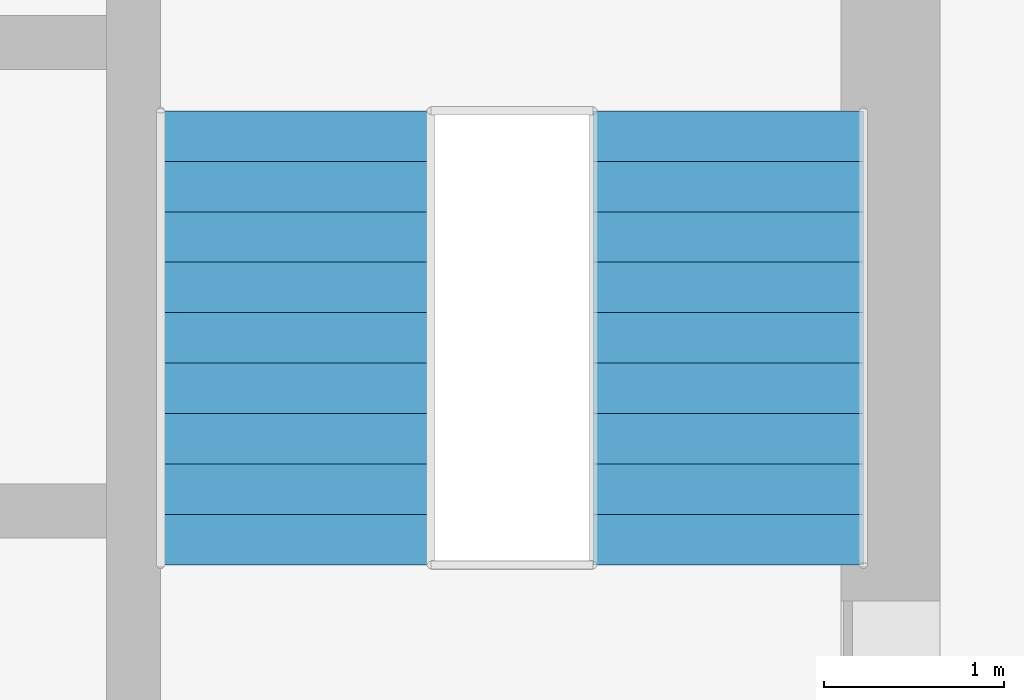
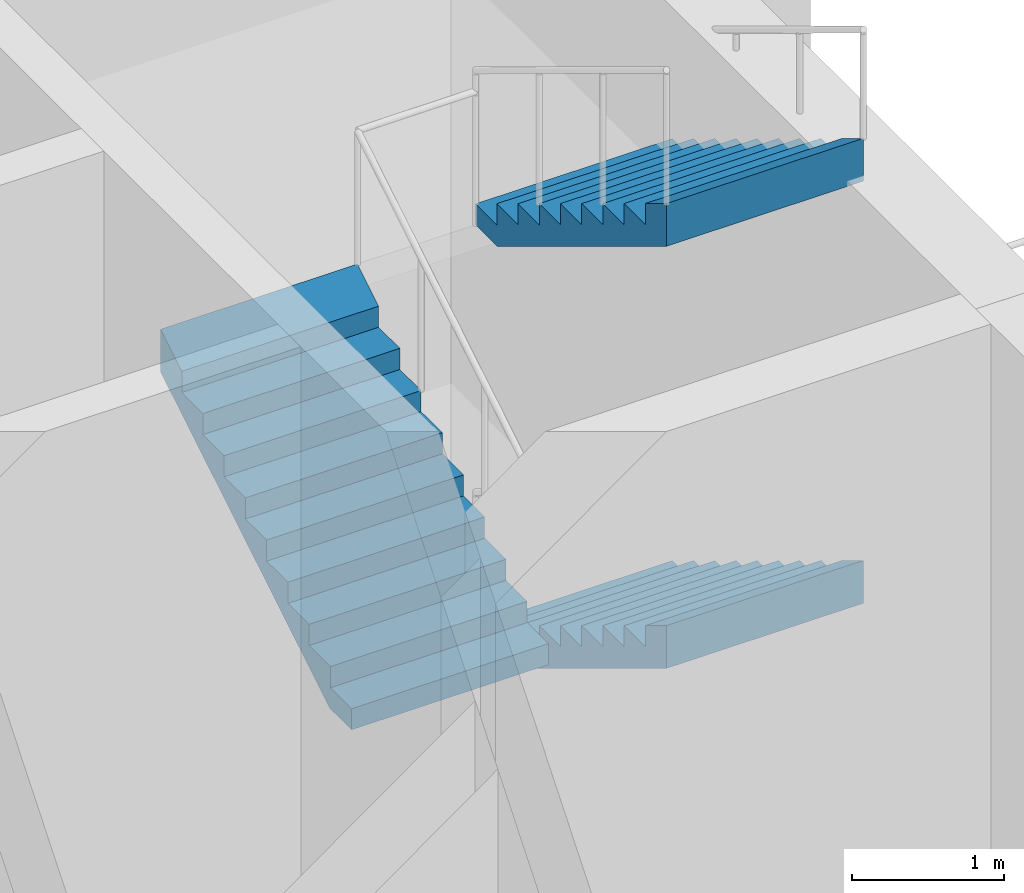
# One storey, part 7 of 10: 3 stair flights, 1 element without a shape of its own.
"""IFC4 building model written with IfcOpenShell, lengths in metres."""

from ifc_helpers import new_model, si_unit, direction, frame, origin, place, context, subcontext, project, spatial, triangles, material, type_object, element, aggregate, save


model = new_model("IFC4")

# Units and contexts
model_context = context("Model", 3, precision=1e-05, world=origin(), true_north=direction((0.0, 1.0)))
body_context = subcontext(model_context, "Body", "Model", "MODEL_VIEW")
ifc_project = project(units=[si_unit("LENGTHUNIT", "METRE"), si_unit("AREAUNIT", "SQUARE_METRE"), si_unit("VOLUMEUNIT", "CUBIC_METRE"), si_unit("PLANEANGLEUNIT", "RADIAN"), si_unit("MASSUNIT", "GRAM", prefix="KILO")], contexts=[model_context])

# Site, building, storey
site_placement = place(None, origin())
site = spatial("IfcSite", under=ifc_project, at=site_placement, CompositionType="ELEMENT")
building_placement = place(site_placement, origin())
building = spatial("IfcBuilding", under=site, at=building_placement, Name="Ludao Terraces", CompositionType="ELEMENT")
storey_placement = place(building_placement, frame((0.0, 0.0, 116.89990234375)))
storey = spatial("IfcBuildingStorey", under=building, at=storey_placement, Name="L32", CompositionType="ELEMENT", Elevation=116.89990234375)

# Stair, stair flights
ifc_material = material(Name="Concrete C40", Category="concrete")
stair_type = type_object("IfcStairType", Name="INT Stair", PredefinedType="HALF_TURN_STAIR", material=ifc_material)
stair_placement = place(storey_placement, origin())
stair = element("IfcStair", 1, at=stair_placement, inside=storey, type_object=stair_type, Name="EXIT STAIR 2", PredefinedType="HALF_TURN_STAIR")
stair_flight_type = type_object("IfcStairFlightType", Name="INT Stair flight", PredefinedType="STRAIGHT", material=ifc_material)
stair_flight_1_placement = place(storey_placement, frame((93.85009765625, 81.52001953125, 1.7001953125), z_axis=(0.0, 0.0, 1.0), x_axis=(0.0, -1.0, 0.0)))
stair_flight_1 = element("IfcStairFlight", 2, at=stair_flight_1_placement, type_object=stair_flight_type, Name="ST2 flight 2", NumberOfRisers=10, NumberOfTreads=9, PredefinedType="STRAIGHT", RiserHeight=0.17, TreadLength=0.28, context=body_context, shape_type="Tessellation", body=[
    triangles([(0.0, -0.75, 0.0), (0.0, -0.5, 0.0), (0.0, -0.25, 0.0), (0.0, 0.0, 0.0), (0.0, 0.25, 0.0), (0.0, 0.5, 0.0), (0.0, 0.75, 0.0), (0.0, -0.75, 0.169921875), (0.0, -0.5, 0.169921875), (0.0, -0.25, 0.169921875), (0.0, 0.0, 0.169921875), (0.0, 0.25, 0.169921875), (0.0, 0.5, 0.169921875), (0.0, 0.75, 0.169921875), (0.280029296875, -0.75, 0.169921875), (0.280029296875, -0.5, 0.169921875), (0.280029296875, -0.25, 0.169921875), (0.280029296875, 0.0, 0.169921875), (0.280029296875, 0.25, 0.169921875), (0.280029296875, 0.5, 0.169921875), (0.280029296875, 0.75, 0.169921875), (0.280029296875, -0.75, 0.340087890625), (0.280029296875, -0.5, 0.340087890625), (0.280029296875, -0.25, 0.340087890625), (0.280029296875, 0.0, 0.340087890625), (0.280029296875, 0.25, 0.340087890625), (0.280029296875, 0.5, 0.340087890625), (0.280029296875, 0.75, 0.340087890625), (0.56005859375, -0.75, 0.340087890625), (0.56005859375, -0.5, 0.340087890625), (0.56005859375, -0.25, 0.340087890625), (0.56005859375, 0.0, 0.340087890625), (0.56005859375, 0.25, 0.340087890625), (0.56005859375, 0.5, 0.340087890625), (0.56005859375, 0.75, 0.340087890625), (0.56005859375, -0.75, 0.510009765625), (0.56005859375, -0.5, 0.510009765625), (0.56005859375, -0.25, 0.510009765625), (0.56005859375, 0.0, 0.510009765625), (0.56005859375, 0.25, 0.510009765625), (0.56005859375, 0.5, 0.510009765625), (0.56005859375, 0.75, 0.510009765625), (0.840087890625, -0.75, 0.510009765625), (0.840087890625, -0.5, 0.510009765625), (0.840087890625, -0.25, 0.510009765625), (0.840087890625, 0.0, 0.510009765625), (0.840087890625, 0.25, 0.510009765625), (0.840087890625, 0.5, 0.510009765625), (0.840087890625, 0.75, 0.510009765625), (0.840087890625, -0.75, 0.679931640625), (0.840087890625, -0.5, 0.679931640625), (0.840087890625, -0.25, 0.679931640625), (0.840087890625, 0.0, 0.679931640625), (0.840087890625, 0.25, 0.679931640625), (0.840087890625, 0.5, 0.679931640625), (0.840087890625, 0.75, 0.679931640625), (1.1201171875, -0.75, 0.679931640625), (1.1201171875, -0.5, 0.679931640625), (1.1201171875, -0.25, 0.679931640625), (1.1201171875, 0.0, 0.679931640625), (1.1201171875, 0.25, 0.679931640625), (1.1201171875, 0.5, 0.679931640625), (1.1201171875, 0.75, 0.679931640625), (1.1201171875, -0.75, 0.85009765625), (1.1201171875, -0.5, 0.85009765625), (1.1201171875, -0.25, 0.85009765625), (1.1201171875, 0.0, 0.85009765625), (1.1201171875, 0.25, 0.85009765625), (1.1201171875, 0.5, 0.85009765625), (1.1201171875, 0.75, 0.85009765625), (1.39990234375, -0.75, 0.85009765625), (1.39990234375, -0.5, 0.85009765625), (1.39990234375, -0.25, 0.85009765625), (1.39990234375, 0.0, 0.85009765625), (1.39990234375, 0.25, 0.85009765625), (1.39990234375, 0.5, 0.85009765625), (1.39990234375, 0.75, 0.85009765625), (1.39990234375, -0.75, 1.02001953125), (1.39990234375, -0.5, 1.02001953125), (1.39990234375, -0.25, 1.02001953125), (1.39990234375, 0.0, 1.02001953125), (1.39990234375, 0.25, 1.02001953125), (1.39990234375, 0.5, 1.02001953125), (1.39990234375, 0.75, 1.02001953125), (1.679931640625, -0.75, 1.02001953125), (1.679931640625, -0.5, 1.02001953125), (1.679931640625, -0.25, 1.02001953125), (1.679931640625, 0.0, 1.02001953125), (1.679931640625, 0.25, 1.02001953125), (1.679931640625, 0.5, 1.02001953125), (1.679931640625, 0.75, 1.02001953125), (1.679931640625, -0.75, 1.18994140625), (1.679931640625, -0.5, 1.18994140625), (1.679931640625, -0.25, 1.18994140625), (1.679931640625, 0.0, 1.18994140625), (1.679931640625, 0.25, 1.18994140625), (1.679931640625, 0.5, 1.18994140625), (1.679931640625, 0.75, 1.18994140625), (1.9599609375, -0.75, 1.18994140625), (1.9599609375, -0.5, 1.18994140625), (1.9599609375, -0.25, 1.18994140625), (1.9599609375, 0.0, 1.18994140625), (1.9599609375, 0.25, 1.18994140625), (1.9599609375, 0.5, 1.18994140625), (1.9599609375, 0.75, 1.18994140625), (1.9599609375, -0.75, 1.360107421875), (1.9599609375, -0.5, 1.360107421875), (1.9599609375, -0.25, 1.360107421875), (1.9599609375, 0.0, 1.360107421875), (1.9599609375, 0.25, 1.360107421875), (1.9599609375, 0.5, 1.360107421875), (1.9599609375, 0.75, 1.360107421875), (2.239990234375, -0.75, 1.360107421875), (2.239990234375, -0.5, 1.360107421875), (2.239990234375, -0.25, 1.360107421875), (2.239990234375, 0.0, 1.360107421875), (2.239990234375, 0.25, 1.360107421875), (2.239990234375, 0.5, 1.360107421875), (2.239990234375, 0.75, 1.360107421875), (2.239990234375, -0.75, 1.530029296875), (2.239990234375, -0.5, 1.530029296875), (2.239990234375, -0.25, 1.530029296875), (2.239990234375, 0.0, 1.530029296875), (2.239990234375, 0.25, 1.530029296875), (2.239990234375, 0.5, 1.530029296875), (2.239990234375, 0.75, 1.530029296875), (2.52001953125, -0.75, 1.699951171875), (2.52001953125, -0.5, 1.699951171875), (2.52001953125, -0.25, 1.699951171875), (2.52001953125, 0.0, 1.699951171875), (2.52001953125, 0.25, 1.699951171875), (2.52001953125, 0.5, 1.699951171875), (2.52001953125, 0.75, 1.699951171875), (2.52001953125, -0.75, 1.354736328125), (2.52001953125, -0.5, 1.354736328125), (2.52001953125, -0.25, 1.354736328125), (2.52001953125, 0.0, 1.354736328125), (2.52001953125, 0.25, 1.354736328125), (2.52001953125, 0.5, 1.354736328125), (2.52001953125, 0.75, 1.354736328125), (0.288818359375, -0.75, 0.0), (0.288818359375, -0.5, 0.0), (0.288818359375, -0.25, 0.0), (0.288818359375, 0.0, 0.0), (0.288818359375, 0.25, 0.0), (0.288818359375, 0.5, 0.0), (0.288818359375, 0.75, 0.0)], [[1, 141, 134], [7, 140, 147], [134, 127, 120], [140, 126, 133], [134, 120, 113], [140, 119, 126], [134, 113, 106], [140, 112, 119], [134, 106, 99], [140, 105, 112], [99, 92, 85], [105, 91, 98], [134, 99, 85], [140, 91, 105], [85, 78, 71], [91, 77, 84], [134, 85, 71], [140, 77, 91], [71, 64, 57], [77, 63, 70], [134, 71, 57], [140, 63, 77], [57, 50, 43], [63, 49, 56], [134, 57, 43], [140, 49, 63], [43, 36, 29], [49, 35, 42], [134, 43, 29], [140, 35, 49], [29, 22, 15], [35, 21, 28], [134, 29, 15], [140, 21, 35], [1, 134, 15], [7, 21, 140], [15, 8, 1], [21, 7, 14], [1, 9, 2], [1, 8, 9], [2, 10, 3], [2, 9, 10], [3, 11, 4], [3, 10, 11], [4, 12, 5], [4, 11, 12], [5, 13, 6], [5, 12, 13], [6, 14, 7], [6, 13, 14], [8, 16, 9], [8, 15, 16], [9, 17, 10], [9, 16, 17], [10, 18, 11], [10, 17, 18], [11, 19, 12], [11, 18, 19], [12, 20, 13], [12, 19, 20], [13, 21, 14], [13, 20, 21], [15, 23, 16], [15, 22, 23], [16, 24, 17], [16, 23, 24], [17, 25, 18], [17, 24, 25], [18, 26, 19], [18, 25, 26], [19, 27, 20], [19, 26, 27], [20, 28, 21], [20, 27, 28], [22, 30, 23], [22, 29, 30], [23, 31, 24], [23, 30, 31], [24, 32, 25], [24, 31, 32], [25, 33, 26], [25, 32, 33], [26, 34, 27], [26, 33, 34], [27, 35, 28], [27, 34, 35], [29, 37, 30], [29, 36, 37], [30, 38, 31], [30, 37, 38], [31, 39, 32], [31, 38, 39], [32, 40, 33], [32, 39, 40], [33, 41, 34], [33, 40, 41], [34, 42, 35], [34, 41, 42], [36, 44, 37], [36, 43, 44], [37, 45, 38], [37, 44, 45], [38, 46, 39], [38, 45, 46], [39, 47, 40], [39, 46, 47], [40, 48, 41], [40, 47, 48], [41, 49, 42], [41, 48, 49], [43, 51, 44], [43, 50, 51], [44, 52, 45], [44, 51, 52], [45, 53, 46], [45, 52, 53], [46, 54, 47], [46, 53, 54], [47, 55, 48], [47, 54, 55], [48, 56, 49], [48, 55, 56], [50, 58, 51], [50, 57, 58], [51, 59, 52], [51, 58, 59], [52, 60, 53], [52, 59, 60], [53, 61, 54], [53, 60, 61], [54, 62, 55], [54, 61, 62], [55, 63, 56], [55, 62, 63], [57, 65, 58], [57, 64, 65], [58, 66, 59], [58, 65, 66], [59, 67, 60], [59, 66, 67], [60, 68, 61], [60, 67, 68], [61, 69, 62], [61, 68, 69], [62, 70, 63], [62, 69, 70], [64, 72, 65], [64, 71, 72], [65, 73, 66], [65, 72, 73], [66, 74, 67], [66, 73, 74], [67, 75, 68], [67, 74, 75], [68, 76, 69], [68, 75, 76], [69, 77, 70], [69, 76, 77], [71, 79, 72], [71, 78, 79], [72, 80, 73], [72, 79, 80], [73, 81, 74], [73, 80, 81], [74, 82, 75], [74, 81, 82], [75, 83, 76], [75, 82, 83], [76, 84, 77], [76, 83, 84], [78, 86, 79], [78, 85, 86], [79, 87, 80], [79, 86, 87], [80, 88, 81], [80, 87, 88], [81, 89, 82], [81, 88, 89], [82, 90, 83], [82, 89, 90], [83, 91, 84], [83, 90, 91], [85, 93, 86], [85, 92, 93], [86, 94, 87], [86, 93, 94], [87, 95, 88], [87, 94, 95], [88, 96, 89], [88, 95, 96], [89, 97, 90], [89, 96, 97], [90, 98, 91], [90, 97, 98], [92, 100, 93], [92, 99, 100], [93, 101, 94], [93, 100, 101], [94, 102, 95], [94, 101, 102], [95, 103, 96], [95, 102, 103], [96, 104, 97], [96, 103, 104], [97, 105, 98], [97, 104, 105], [99, 107, 100], [99, 106, 107], [100, 108, 101], [100, 107, 108], [101, 109, 102], [101, 108, 109], [102, 110, 103], [102, 109, 110], [103, 111, 104], [103, 110, 111], [104, 112, 105], [104, 111, 112], [106, 114, 107], [106, 113, 114], [107, 115, 108], [107, 114, 115], [108, 116, 109], [108, 115, 116], [109, 117, 110], [109, 116, 117], [110, 118, 111], [110, 117, 118], [111, 119, 112], [111, 118, 119], [113, 121, 114], [113, 120, 121], [114, 122, 115], [114, 121, 122], [115, 123, 116], [115, 122, 123], [116, 124, 117], [116, 123, 124], [117, 125, 118], [117, 124, 125], [118, 126, 119], [118, 125, 126], [120, 128, 121], [120, 127, 128], [121, 129, 122], [121, 128, 129], [122, 130, 123], [122, 129, 130], [123, 131, 124], [123, 130, 131], [124, 132, 125], [124, 131, 132], [125, 133, 126], [125, 132, 133], [127, 135, 128], [127, 134, 135], [128, 136, 129], [128, 135, 136], [129, 137, 130], [129, 136, 137], [130, 138, 131], [130, 137, 138], [131, 139, 132], [131, 138, 139], [132, 140, 133], [132, 139, 140], [134, 142, 135], [134, 141, 142], [135, 143, 136], [135, 142, 143], [136, 144, 137], [136, 143, 144], [137, 145, 138], [137, 144, 145], [138, 146, 139], [138, 145, 146], [139, 147, 140], [139, 146, 147], [141, 2, 142], [141, 1, 2], [142, 3, 143], [142, 2, 3], [143, 4, 144], [143, 3, 4], [144, 5, 145], [144, 4, 5], [145, 6, 146], [145, 5, 6], [146, 7, 147], [146, 6, 7]], closed=True),
])
stair_flight_2_placement = place(storey_placement, frame((91.449951171875, 79.0, 3.400146484375), z_axis=(0.0, 0.0, 1.0), x_axis=(0.0, 1.0, 0.0)))
stair_flight_2 = element("IfcStairFlight", 3, at=stair_flight_2_placement, type_object=stair_flight_type, Name="ST2 flight 3", NumberOfRisers=10, NumberOfTreads=9, PredefinedType="STRAIGHT", RiserHeight=0.17, TreadLength=0.28, context=body_context, shape_type="Tessellation", body=[
    triangles([(0.0, -0.75, 0.0), (0.0, -0.5, 0.0), (0.0, -0.25, 0.0), (0.0, 0.0, 0.0), (0.0, 0.25, 0.0), (0.0, 0.5, 0.0), (0.0, 0.75, 0.0), (0.0, -0.75, 0.169921875), (0.0, -0.5, 0.169921875), (0.0, -0.25, 0.169921875), (0.0, 0.0, 0.169921875), (0.0, 0.25, 0.169921875), (0.0, 0.5, 0.169921875), (0.0, 0.75, 0.169921875), (0.280029296875, -0.75, 0.169921875), (0.280029296875, -0.5, 0.169921875), (0.280029296875, -0.25, 0.169921875), (0.280029296875, 0.0, 0.169921875), (0.280029296875, 0.25, 0.169921875), (0.280029296875, 0.5, 0.169921875), (0.280029296875, 0.75, 0.169921875), (0.280029296875, -0.75, 0.340087890625), (0.280029296875, -0.5, 0.340087890625), (0.280029296875, -0.25, 0.340087890625), (0.280029296875, 0.0, 0.340087890625), (0.280029296875, 0.25, 0.340087890625), (0.280029296875, 0.5, 0.340087890625), (0.280029296875, 0.75, 0.340087890625), (0.56005859375, -0.75, 0.340087890625), (0.56005859375, -0.5, 0.340087890625), (0.56005859375, -0.25, 0.340087890625), (0.56005859375, 0.0, 0.340087890625), (0.56005859375, 0.25, 0.340087890625), (0.56005859375, 0.5, 0.340087890625), (0.56005859375, 0.75, 0.340087890625), (0.56005859375, -0.75, 0.510009765625), (0.56005859375, -0.5, 0.510009765625), (0.56005859375, -0.25, 0.510009765625), (0.56005859375, 0.0, 0.510009765625), (0.56005859375, 0.25, 0.510009765625), (0.56005859375, 0.5, 0.510009765625), (0.56005859375, 0.75, 0.510009765625), (0.840087890625, -0.75, 0.510009765625), (0.840087890625, -0.5, 0.510009765625), (0.840087890625, -0.25, 0.510009765625), (0.840087890625, 0.0, 0.510009765625), (0.840087890625, 0.25, 0.510009765625), (0.840087890625, 0.5, 0.510009765625), (0.840087890625, 0.75, 0.510009765625), (0.840087890625, -0.75, 0.679931640625), (0.840087890625, -0.5, 0.679931640625), (0.840087890625, -0.25, 0.679931640625), (0.840087890625, 0.0, 0.679931640625), (0.840087890625, 0.25, 0.679931640625), (0.840087890625, 0.5, 0.679931640625), (0.840087890625, 0.75, 0.679931640625), (1.1201171875, -0.75, 0.679931640625), (1.1201171875, -0.5, 0.679931640625), (1.1201171875, -0.25, 0.679931640625), (1.1201171875, 0.0, 0.679931640625), (1.1201171875, 0.25, 0.679931640625), (1.1201171875, 0.5, 0.679931640625), (1.1201171875, 0.75, 0.679931640625), (1.1201171875, -0.75, 0.85009765625), (1.1201171875, -0.5, 0.85009765625), (1.1201171875, -0.25, 0.85009765625), (1.1201171875, 0.0, 0.85009765625), (1.1201171875, 0.25, 0.85009765625), (1.1201171875, 0.5, 0.85009765625), (1.1201171875, 0.75, 0.85009765625), (1.39990234375, -0.75, 0.85009765625), (1.39990234375, -0.5, 0.85009765625), (1.39990234375, -0.25, 0.85009765625), (1.39990234375, 0.0, 0.85009765625), (1.39990234375, 0.25, 0.85009765625), (1.39990234375, 0.5, 0.85009765625), (1.39990234375, 0.75, 0.85009765625), (1.39990234375, -0.75, 1.02001953125), (1.39990234375, -0.5, 1.02001953125), (1.39990234375, -0.25, 1.02001953125), (1.39990234375, 0.0, 1.02001953125), (1.39990234375, 0.25, 1.02001953125), (1.39990234375, 0.5, 1.02001953125), (1.39990234375, 0.75, 1.02001953125), (1.679931640625, -0.75, 1.02001953125), (1.679931640625, -0.5, 1.02001953125), (1.679931640625, -0.25, 1.02001953125), (1.679931640625, 0.0, 1.02001953125), (1.679931640625, 0.25, 1.02001953125), (1.679931640625, 0.5, 1.02001953125), (1.679931640625, 0.75, 1.02001953125), (1.679931640625, -0.75, 1.18994140625), (1.679931640625, -0.5, 1.18994140625), (1.679931640625, -0.25, 1.18994140625), (1.679931640625, 0.0, 1.18994140625), (1.679931640625, 0.25, 1.18994140625), (1.679931640625, 0.5, 1.18994140625), (1.679931640625, 0.75, 1.18994140625), (1.9599609375, -0.75, 1.18994140625), (1.9599609375, -0.5, 1.18994140625), (1.9599609375, -0.25, 1.18994140625), (1.9599609375, 0.0, 1.18994140625), (1.9599609375, 0.25, 1.18994140625), (1.9599609375, 0.5, 1.18994140625), (1.9599609375, 0.75, 1.18994140625), (1.9599609375, -0.75, 1.360107421875), (1.9599609375, -0.5, 1.360107421875), (1.9599609375, -0.25, 1.360107421875), (1.9599609375, 0.0, 1.360107421875), (1.9599609375, 0.25, 1.360107421875), (1.9599609375, 0.5, 1.360107421875), (1.9599609375, 0.75, 1.360107421875), (2.239990234375, -0.75, 1.360107421875), (2.239990234375, -0.5, 1.360107421875), (2.239990234375, -0.25, 1.360107421875), (2.239990234375, 0.0, 1.360107421875), (2.239990234375, 0.25, 1.360107421875), (2.239990234375, 0.5, 1.360107421875), (2.239990234375, 0.75, 1.360107421875), (2.239990234375, -0.75, 1.530029296875), (2.239990234375, -0.5, 1.530029296875), (2.239990234375, -0.25, 1.530029296875), (2.239990234375, 0.0, 1.530029296875), (2.239990234375, 0.25, 1.530029296875), (2.239990234375, 0.5, 1.530029296875), (2.239990234375, 0.75, 1.530029296875), (2.52001953125, -0.75, 1.699951171875), (2.52001953125, -0.5, 1.699951171875), (2.52001953125, -0.25, 1.699951171875), (2.52001953125, 0.0, 1.699951171875), (2.52001953125, 0.25, 1.699951171875), (2.52001953125, 0.5, 1.699951171875), (2.52001953125, 0.75, 1.699951171875), (2.52001953125, -0.75, 1.354736328125), (2.52001953125, -0.5, 1.354736328125), (2.52001953125, -0.25, 1.354736328125), (2.52001953125, 0.0, 1.354736328125), (2.52001953125, 0.25, 1.354736328125), (2.52001953125, 0.5, 1.354736328125), (2.52001953125, 0.75, 1.354736328125), (0.288818359375, -0.75, 0.0), (0.288818359375, -0.5, 0.0), (0.288818359375, -0.25, 0.0), (0.288818359375, 0.0, 0.0), (0.288818359375, 0.25, 0.0), (0.288818359375, 0.5, 0.0), (0.288818359375, 0.75, 0.0)], [[1, 141, 134], [7, 140, 147], [134, 127, 120], [140, 126, 133], [134, 120, 113], [140, 119, 126], [134, 113, 106], [140, 112, 119], [134, 106, 99], [140, 105, 112], [99, 92, 85], [105, 91, 98], [134, 99, 85], [140, 91, 105], [85, 78, 71], [91, 77, 84], [134, 85, 71], [140, 77, 91], [71, 64, 57], [77, 63, 70], [134, 71, 57], [140, 63, 77], [57, 50, 43], [63, 49, 56], [134, 57, 43], [140, 49, 63], [43, 36, 29], [49, 35, 42], [134, 43, 29], [140, 35, 49], [29, 22, 15], [35, 21, 28], [134, 29, 15], [140, 21, 35], [1, 134, 15], [7, 21, 140], [15, 8, 1], [21, 7, 14], [1, 9, 2], [1, 8, 9], [2, 10, 3], [2, 9, 10], [3, 11, 4], [3, 10, 11], [4, 12, 5], [4, 11, 12], [5, 13, 6], [5, 12, 13], [6, 14, 7], [6, 13, 14], [8, 16, 9], [8, 15, 16], [9, 17, 10], [9, 16, 17], [10, 18, 11], [10, 17, 18], [11, 19, 12], [11, 18, 19], [12, 20, 13], [12, 19, 20], [13, 21, 14], [13, 20, 21], [15, 23, 16], [15, 22, 23], [16, 24, 17], [16, 23, 24], [17, 25, 18], [17, 24, 25], [18, 26, 19], [18, 25, 26], [19, 27, 20], [19, 26, 27], [20, 28, 21], [20, 27, 28], [22, 30, 23], [22, 29, 30], [23, 31, 24], [23, 30, 31], [24, 32, 25], [24, 31, 32], [25, 33, 26], [25, 32, 33], [26, 34, 27], [26, 33, 34], [27, 35, 28], [27, 34, 35], [29, 37, 30], [29, 36, 37], [30, 38, 31], [30, 37, 38], [31, 39, 32], [31, 38, 39], [32, 40, 33], [32, 39, 40], [33, 41, 34], [33, 40, 41], [34, 42, 35], [34, 41, 42], [36, 44, 37], [36, 43, 44], [37, 45, 38], [37, 44, 45], [38, 46, 39], [38, 45, 46], [39, 47, 40], [39, 46, 47], [40, 48, 41], [40, 47, 48], [41, 49, 42], [41, 48, 49], [43, 51, 44], [43, 50, 51], [44, 52, 45], [44, 51, 52], [45, 53, 46], [45, 52, 53], [46, 54, 47], [46, 53, 54], [47, 55, 48], [47, 54, 55], [48, 56, 49], [48, 55, 56], [50, 58, 51], [50, 57, 58], [51, 59, 52], [51, 58, 59], [52, 60, 53], [52, 59, 60], [53, 61, 54], [53, 60, 61], [54, 62, 55], [54, 61, 62], [55, 63, 56], [55, 62, 63], [57, 65, 58], [57, 64, 65], [58, 66, 59], [58, 65, 66], [59, 67, 60], [59, 66, 67], [60, 68, 61], [60, 67, 68], [61, 69, 62], [61, 68, 69], [62, 70, 63], [62, 69, 70], [64, 72, 65], [64, 71, 72], [65, 73, 66], [65, 72, 73], [66, 74, 67], [66, 73, 74], [67, 75, 68], [67, 74, 75], [68, 76, 69], [68, 75, 76], [69, 77, 70], [69, 76, 77], [71, 79, 72], [71, 78, 79], [72, 80, 73], [72, 79, 80], [73, 81, 74], [73, 80, 81], [74, 82, 75], [74, 81, 82], [75, 83, 76], [75, 82, 83], [76, 84, 77], [76, 83, 84], [78, 86, 79], [78, 85, 86], [79, 87, 80], [79, 86, 87], [80, 88, 81], [80, 87, 88], [81, 89, 82], [81, 88, 89], [82, 90, 83], [82, 89, 90], [83, 91, 84], [83, 90, 91], [85, 93, 86], [85, 92, 93], [86, 94, 87], [86, 93, 94], [87, 95, 88], [87, 94, 95], [88, 96, 89], [88, 95, 96], [89, 97, 90], [89, 96, 97], [90, 98, 91], [90, 97, 98], [92, 100, 93], [92, 99, 100], [93, 101, 94], [93, 100, 101], [94, 102, 95], [94, 101, 102], [95, 103, 96], [95, 102, 103], [96, 104, 97], [96, 103, 104], [97, 105, 98], [97, 104, 105], [99, 107, 100], [99, 106, 107], [100, 108, 101], [100, 107, 108], [101, 109, 102], [101, 108, 109], [102, 110, 103], [102, 109, 110], [103, 111, 104], [103, 110, 111], [104, 112, 105], [104, 111, 112], [106, 114, 107], [106, 113, 114], [107, 115, 108], [107, 114, 115], [108, 116, 109], [108, 115, 116], [109, 117, 110], [109, 116, 117], [110, 118, 111], [110, 117, 118], [111, 119, 112], [111, 118, 119], [113, 121, 114], [113, 120, 121], [114, 122, 115], [114, 121, 122], [115, 123, 116], [115, 122, 123], [116, 124, 117], [116, 123, 124], [117, 125, 118], [117, 124, 125], [118, 126, 119], [118, 125, 126], [120, 128, 121], [120, 127, 128], [121, 129, 122], [121, 128, 129], [122, 130, 123], [122, 129, 130], [123, 131, 124], [123, 130, 131], [124, 132, 125], [124, 131, 132], [125, 133, 126], [125, 132, 133], [127, 135, 128], [127, 134, 135], [128, 136, 129], [128, 135, 136], [129, 137, 130], [129, 136, 137], [130, 138, 131], [130, 137, 138], [131, 139, 132], [131, 138, 139], [132, 140, 133], [132, 139, 140], [134, 142, 135], [134, 141, 142], [135, 143, 136], [135, 142, 143], [136, 144, 137], [136, 143, 144], [137, 145, 138], [137, 144, 145], [138, 146, 139], [138, 145, 146], [139, 147, 140], [139, 146, 147], [141, 2, 142], [141, 1, 2], [142, 3, 143], [142, 2, 3], [143, 4, 144], [143, 3, 4], [144, 5, 145], [144, 4, 5], [145, 6, 146], [145, 5, 6], [146, 7, 147], [146, 6, 7]], closed=True),
])
stair_flight_3_placement = place(storey_placement, frame((93.85009765625, 81.52001953125, 5.10009765625), z_axis=(0.0, 0.0, 1.0), x_axis=(0.0, -1.0, 0.0)))
stair_flight_3 = element("IfcStairFlight", 4, at=stair_flight_3_placement, type_object=stair_flight_type, Name="ST2 flight 4", NumberOfRisers=10, NumberOfTreads=9, PredefinedType="STRAIGHT", RiserHeight=0.17, TreadLength=0.28, context=body_context, shape_type="Tessellation", body=[
    triangles([(0.0, -0.75, 0.0), (0.0, -0.5, 0.0), (0.0, -0.25, 0.0), (0.0, 0.0, 0.0), (0.0, 0.25, 0.0), (0.0, 0.5, 0.0), (0.0, 0.75, 0.0), (0.0, -0.75, 0.169921875), (0.0, -0.5, 0.169921875), (0.0, -0.25, 0.169921875), (0.0, 0.0, 0.169921875), (0.0, 0.25, 0.169921875), (0.0, 0.5, 0.169921875), (0.0, 0.75, 0.169921875), (0.280029296875, -0.75, 0.169921875), (0.280029296875, -0.5, 0.169921875), (0.280029296875, -0.25, 0.169921875), (0.280029296875, 0.0, 0.169921875), (0.280029296875, 0.25, 0.169921875), (0.280029296875, 0.5, 0.169921875), (0.280029296875, 0.75, 0.169921875), (0.280029296875, -0.75, 0.340087890625), (0.280029296875, -0.5, 0.340087890625), (0.280029296875, -0.25, 0.340087890625), (0.280029296875, 0.0, 0.340087890625), (0.280029296875, 0.25, 0.340087890625), (0.280029296875, 0.5, 0.340087890625), (0.280029296875, 0.75, 0.340087890625), (0.56005859375, -0.75, 0.340087890625), (0.56005859375, -0.5, 0.340087890625), (0.56005859375, -0.25, 0.340087890625), (0.56005859375, 0.0, 0.340087890625), (0.56005859375, 0.25, 0.340087890625), (0.56005859375, 0.5, 0.340087890625), (0.56005859375, 0.75, 0.340087890625), (0.56005859375, -0.75, 0.510009765625), (0.56005859375, -0.5, 0.510009765625), (0.56005859375, -0.25, 0.510009765625), (0.56005859375, 0.0, 0.510009765625), (0.56005859375, 0.25, 0.510009765625), (0.56005859375, 0.5, 0.510009765625), (0.56005859375, 0.75, 0.510009765625), (0.840087890625, -0.75, 0.510009765625), (0.840087890625, -0.5, 0.510009765625), (0.840087890625, -0.25, 0.510009765625), (0.840087890625, 0.0, 0.510009765625), (0.840087890625, 0.25, 0.510009765625), (0.840087890625, 0.5, 0.510009765625), (0.840087890625, 0.75, 0.510009765625), (0.840087890625, -0.75, 0.679931640625), (0.840087890625, -0.5, 0.679931640625), (0.840087890625, -0.25, 0.679931640625), (0.840087890625, 0.0, 0.679931640625), (0.840087890625, 0.25, 0.679931640625), (0.840087890625, 0.5, 0.679931640625), (0.840087890625, 0.75, 0.679931640625), (1.1201171875, -0.75, 0.679931640625), (1.1201171875, -0.5, 0.679931640625), (1.1201171875, -0.25, 0.679931640625), (1.1201171875, 0.0, 0.679931640625), (1.1201171875, 0.25, 0.679931640625), (1.1201171875, 0.5, 0.679931640625), (1.1201171875, 0.75, 0.679931640625), (1.1201171875, -0.75, 0.85009765625), (1.1201171875, -0.5, 0.85009765625), (1.1201171875, -0.25, 0.85009765625), (1.1201171875, 0.0, 0.85009765625), (1.1201171875, 0.25, 0.85009765625), (1.1201171875, 0.5, 0.85009765625), (1.1201171875, 0.75, 0.85009765625), (1.39990234375, -0.75, 0.85009765625), (1.39990234375, -0.5, 0.85009765625), (1.39990234375, -0.25, 0.85009765625), (1.39990234375, 0.0, 0.85009765625), (1.39990234375, 0.25, 0.85009765625), (1.39990234375, 0.5, 0.85009765625), (1.39990234375, 0.75, 0.85009765625), (1.39990234375, -0.75, 1.02001953125), (1.39990234375, -0.5, 1.02001953125), (1.39990234375, -0.25, 1.02001953125), (1.39990234375, 0.0, 1.02001953125), (1.39990234375, 0.25, 1.02001953125), (1.39990234375, 0.5, 1.02001953125), (1.39990234375, 0.75, 1.02001953125), (1.679931640625, -0.75, 1.02001953125), (1.679931640625, -0.5, 1.02001953125), (1.679931640625, -0.25, 1.02001953125), (1.679931640625, 0.0, 1.02001953125), (1.679931640625, 0.25, 1.02001953125), (1.679931640625, 0.5, 1.02001953125), (1.679931640625, 0.75, 1.02001953125), (1.679931640625, -0.75, 1.18994140625), (1.679931640625, -0.5, 1.18994140625), (1.679931640625, -0.25, 1.18994140625), (1.679931640625, 0.0, 1.18994140625), (1.679931640625, 0.25, 1.18994140625), (1.679931640625, 0.5, 1.18994140625), (1.679931640625, 0.75, 1.18994140625), (1.9599609375, -0.75, 1.18994140625), (1.9599609375, -0.5, 1.18994140625), (1.9599609375, -0.25, 1.18994140625), (1.9599609375, 0.0, 1.18994140625), (1.9599609375, 0.25, 1.18994140625), (1.9599609375, 0.5, 1.18994140625), (1.9599609375, 0.75, 1.18994140625), (1.9599609375, -0.75, 1.360107421875), (1.9599609375, -0.5, 1.360107421875), (1.9599609375, -0.25, 1.360107421875), (1.9599609375, 0.0, 1.360107421875), (1.9599609375, 0.25, 1.360107421875), (1.9599609375, 0.5, 1.360107421875), (1.9599609375, 0.75, 1.360107421875), (2.239990234375, -0.75, 1.360107421875), (2.239990234375, -0.5, 1.360107421875), (2.239990234375, -0.25, 1.360107421875), (2.239990234375, 0.0, 1.360107421875), (2.239990234375, 0.25, 1.360107421875), (2.239990234375, 0.5, 1.360107421875), (2.239990234375, 0.75, 1.360107421875), (2.239990234375, -0.75, 1.530029296875), (2.239990234375, -0.5, 1.530029296875), (2.239990234375, -0.25, 1.530029296875), (2.239990234375, 0.0, 1.530029296875), (2.239990234375, 0.25, 1.530029296875), (2.239990234375, 0.5, 1.530029296875), (2.239990234375, 0.75, 1.530029296875), (2.52001953125, -0.75, 1.699951171875), (2.52001953125, -0.5, 1.699951171875), (2.52001953125, -0.25, 1.699951171875), (2.52001953125, 0.0, 1.699951171875), (2.52001953125, 0.25, 1.699951171875), (2.52001953125, 0.5, 1.699951171875), (2.52001953125, 0.75, 1.699951171875), (2.52001953125, -0.75, 1.354736328125), (2.52001953125, -0.5, 1.354736328125), (2.52001953125, -0.25, 1.354736328125), (2.52001953125, 0.0, 1.354736328125), (2.52001953125, 0.25, 1.354736328125), (2.52001953125, 0.5, 1.354736328125), (2.52001953125, 0.75, 1.354736328125), (0.288818359375, -0.75, 0.0), (0.288818359375, -0.5, 0.0), (0.288818359375, -0.25, 0.0), (0.288818359375, 0.0, 0.0), (0.288818359375, 0.25, 0.0), (0.288818359375, 0.5, 0.0), (0.288818359375, 0.75, 0.0)], [[1, 141, 134], [7, 140, 147], [134, 127, 120], [140, 126, 133], [134, 120, 113], [140, 119, 126], [134, 113, 106], [140, 112, 119], [134, 106, 99], [140, 105, 112], [99, 92, 85], [105, 91, 98], [134, 99, 85], [140, 91, 105], [85, 78, 71], [91, 77, 84], [134, 85, 71], [140, 77, 91], [71, 64, 57], [77, 63, 70], [134, 71, 57], [140, 63, 77], [57, 50, 43], [63, 49, 56], [134, 57, 43], [140, 49, 63], [43, 36, 29], [49, 35, 42], [134, 43, 29], [140, 35, 49], [29, 22, 15], [35, 21, 28], [134, 29, 15], [140, 21, 35], [1, 134, 15], [7, 21, 140], [15, 8, 1], [21, 7, 14], [1, 9, 2], [1, 8, 9], [2, 10, 3], [2, 9, 10], [3, 11, 4], [3, 10, 11], [4, 12, 5], [4, 11, 12], [5, 13, 6], [5, 12, 13], [6, 14, 7], [6, 13, 14], [8, 16, 9], [8, 15, 16], [9, 17, 10], [9, 16, 17], [10, 18, 11], [10, 17, 18], [11, 19, 12], [11, 18, 19], [12, 20, 13], [12, 19, 20], [13, 21, 14], [13, 20, 21], [15, 23, 16], [15, 22, 23], [16, 24, 17], [16, 23, 24], [17, 25, 18], [17, 24, 25], [18, 26, 19], [18, 25, 26], [19, 27, 20], [19, 26, 27], [20, 28, 21], [20, 27, 28], [22, 30, 23], [22, 29, 30], [23, 31, 24], [23, 30, 31], [24, 32, 25], [24, 31, 32], [25, 33, 26], [25, 32, 33], [26, 34, 27], [26, 33, 34], [27, 35, 28], [27, 34, 35], [29, 37, 30], [29, 36, 37], [30, 38, 31], [30, 37, 38], [31, 39, 32], [31, 38, 39], [32, 40, 33], [32, 39, 40], [33, 41, 34], [33, 40, 41], [34, 42, 35], [34, 41, 42], [36, 44, 37], [36, 43, 44], [37, 45, 38], [37, 44, 45], [38, 46, 39], [38, 45, 46], [39, 47, 40], [39, 46, 47], [40, 48, 41], [40, 47, 48], [41, 49, 42], [41, 48, 49], [43, 51, 44], [43, 50, 51], [44, 52, 45], [44, 51, 52], [45, 53, 46], [45, 52, 53], [46, 54, 47], [46, 53, 54], [47, 55, 48], [47, 54, 55], [48, 56, 49], [48, 55, 56], [50, 58, 51], [50, 57, 58], [51, 59, 52], [51, 58, 59], [52, 60, 53], [52, 59, 60], [53, 61, 54], [53, 60, 61], [54, 62, 55], [54, 61, 62], [55, 63, 56], [55, 62, 63], [57, 65, 58], [57, 64, 65], [58, 66, 59], [58, 65, 66], [59, 67, 60], [59, 66, 67], [60, 68, 61], [60, 67, 68], [61, 69, 62], [61, 68, 69], [62, 70, 63], [62, 69, 70], [64, 72, 65], [64, 71, 72], [65, 73, 66], [65, 72, 73], [66, 74, 67], [66, 73, 74], [67, 75, 68], [67, 74, 75], [68, 76, 69], [68, 75, 76], [69, 77, 70], [69, 76, 77], [71, 79, 72], [71, 78, 79], [72, 80, 73], [72, 79, 80], [73, 81, 74], [73, 80, 81], [74, 82, 75], [74, 81, 82], [75, 83, 76], [75, 82, 83], [76, 84, 77], [76, 83, 84], [78, 86, 79], [78, 85, 86], [79, 87, 80], [79, 86, 87], [80, 88, 81], [80, 87, 88], [81, 89, 82], [81, 88, 89], [82, 90, 83], [82, 89, 90], [83, 91, 84], [83, 90, 91], [85, 93, 86], [85, 92, 93], [86, 94, 87], [86, 93, 94], [87, 95, 88], [87, 94, 95], [88, 96, 89], [88, 95, 96], [89, 97, 90], [89, 96, 97], [90, 98, 91], [90, 97, 98], [92, 100, 93], [92, 99, 100], [93, 101, 94], [93, 100, 101], [94, 102, 95], [94, 101, 102], [95, 103, 96], [95, 102, 103], [96, 104, 97], [96, 103, 104], [97, 105, 98], [97, 104, 105], [99, 107, 100], [99, 106, 107], [100, 108, 101], [100, 107, 108], [101, 109, 102], [101, 108, 109], [102, 110, 103], [102, 109, 110], [103, 111, 104], [103, 110, 111], [104, 112, 105], [104, 111, 112], [106, 114, 107], [106, 113, 114], [107, 115, 108], [107, 114, 115], [108, 116, 109], [108, 115, 116], [109, 117, 110], [109, 116, 117], [110, 118, 111], [110, 117, 118], [111, 119, 112], [111, 118, 119], [113, 121, 114], [113, 120, 121], [114, 122, 115], [114, 121, 122], [115, 123, 116], [115, 122, 123], [116, 124, 117], [116, 123, 124], [117, 125, 118], [117, 124, 125], [118, 126, 119], [118, 125, 126], [120, 128, 121], [120, 127, 128], [121, 129, 122], [121, 128, 129], [122, 130, 123], [122, 129, 130], [123, 131, 124], [123, 130, 131], [124, 132, 125], [124, 131, 132], [125, 133, 126], [125, 132, 133], [127, 135, 128], [127, 134, 135], [128, 136, 129], [128, 135, 136], [129, 137, 130], [129, 136, 137], [130, 138, 131], [130, 137, 138], [131, 139, 132], [131, 138, 139], [132, 140, 133], [132, 139, 140], [134, 142, 135], [134, 141, 142], [135, 143, 136], [135, 142, 143], [136, 144, 137], [136, 143, 144], [137, 145, 138], [137, 144, 145], [138, 146, 139], [138, 145, 146], [139, 147, 140], [139, 146, 147], [141, 2, 142], [141, 1, 2], [142, 3, 143], [142, 2, 3], [143, 4, 144], [143, 3, 4], [144, 5, 145], [144, 4, 5], [145, 6, 146], [145, 5, 6], [146, 7, 147], [146, 6, 7]], closed=True),
])
aggregate(stair, [stair_flight_1, stair_flight_2, stair_flight_3])

save(model, "model.ifc")
